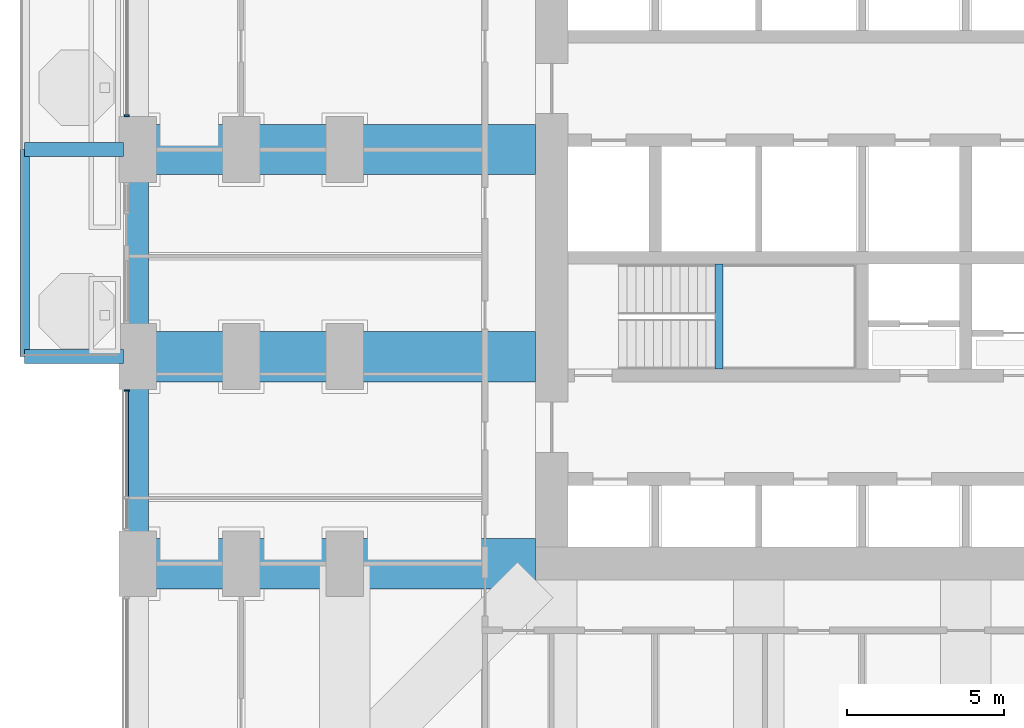
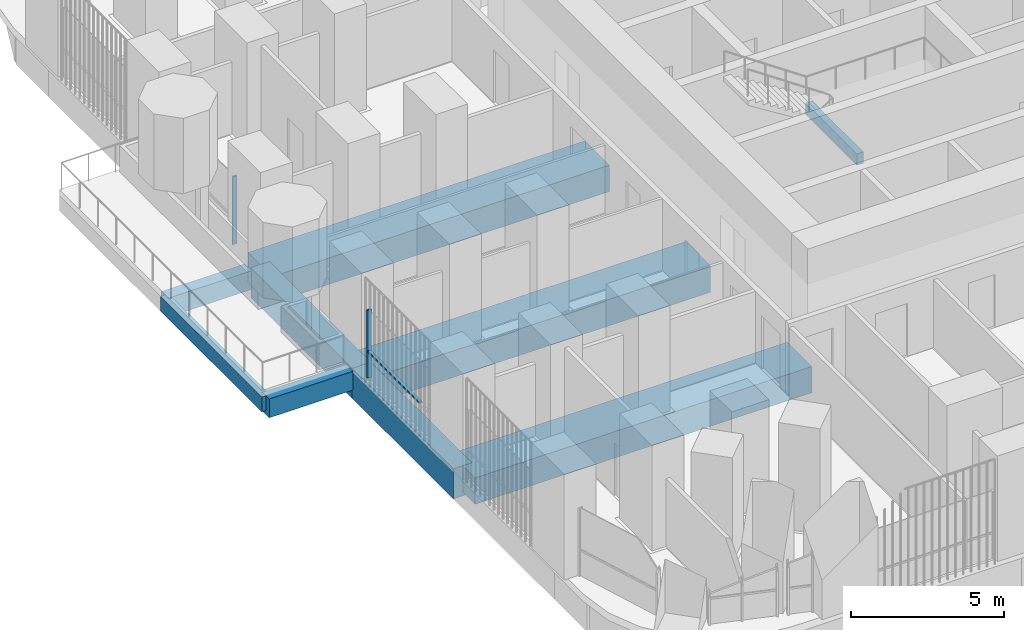
# One storey, part 3 of 26: 9 beams, 3 members, 2 elements without a shape of their own.
"""IFC4 building model written with IfcOpenShell, lengths in metres."""

from ifc_helpers import new_model, si_unit, direction, frame, origin, origin_2d, place, context, subcontext, project, spatial, rectangle, extrude, material, material_profile, profile_set, type_object, element, aggregate, save


model = new_model("IFC4")

# Units and contexts
model_context = context("Model", 3, precision=1e-05, world=origin(), true_north=direction((0.0, 1.0)))
body_context = subcontext(model_context, "Body", "Model", "MODEL_VIEW")
ifc_project = project(units=[si_unit("LENGTHUNIT", "METRE"), si_unit("AREAUNIT", "SQUARE_METRE"), si_unit("VOLUMEUNIT", "CUBIC_METRE"), si_unit("PLANEANGLEUNIT", "RADIAN"), si_unit("MASSUNIT", "GRAM", prefix="KILO")], contexts=[model_context])

# Site, building, storey
site_placement = place(None, origin())
site = spatial("IfcSite", under=ifc_project, at=site_placement, CompositionType="ELEMENT")
building_placement = place(site_placement, origin())
building = spatial("IfcBuilding", under=site, at=building_placement, Name="Cobogo Forest Laboratory Tower", CompositionType="ELEMENT")
storey_placement = place(building_placement, frame((0.0, 0.0, 59.10009765625)))
storey = spatial("IfcBuildingStorey", under=building, at=storey_placement, Name="L13", CompositionType="ELEMENT", Elevation=59.10009765625)

# Beams
ifc_material_1 = material(Name="Concrete HA-40 (C40/50)", Category="concrete")
ifc_material_profile_1 = material_profile(ifc_material_1, rectangle(XDim=0.449951171875, YDim=0.75, at=origin_2d()), Name="RC 450x750")
ifc_profile_set_1 = profile_set([ifc_material_profile_1], Name="Concrete HA-40 (C40/50)")
beam_type_1 = type_object("IfcBeamType", Name="Balcony cantilever beam 450x750", PredefinedType="BEAM", material=ifc_profile_set_1)
for number, where, z_axis, x_axis, name in (
    (1, (-0.449951171875, 19.800048828125, -0.625), (-1.0, 0.0, 0.0), (0.0, -1.0, 0.0), "CB1 BAL-W1-C1 L13"),
    (2, (-0.449951171875, 26.39990234375, -0.625), (-1.0, 0.0, 0.0), (0.0, -1.0, 0.0), "CB1 BAL-W1-C2 L13"),
):
    element("IfcBeam", number, at=place(storey_placement, frame(where, z_axis=z_axis, x_axis=x_axis)), inside=storey, type_object=beam_type_1, Name=name, PredefinedType="BEAM", context=body_context, shape_type="SweptSolid", body=[
        extrude(rectangle(XDim=0.449951171875, YDim=0.75, at=origin_2d()), origin(), (0.0, 0.0, 1.0), 3.150146484375),
    ])
ifc_material_profile_2 = material_profile(ifc_material_1, rectangle(XDim=0.300048828125, YDim=0.60009765625, at=origin_2d()), Name="RC 300x600")
ifc_profile_set_2 = profile_set([ifc_material_profile_2], Name="Concrete HA-40 (C40/50)")
beam_type_2 = type_object("IfcBeamType", Name="Balcony edge beam 300x600", PredefinedType="BEAM", material=ifc_profile_set_2)
beam_1_placement = place(storey_placement, frame((-3.60009765625, 19.800048828125, -0.550048828125), z_axis=(0.0, 1.0, 0.0), x_axis=(-1.0, 0.0, 0.0)))
element("IfcBeam", 3, at=beam_1_placement, inside=storey, type_object=beam_type_2, Name="BB1 BAL-W1-T1 L13", PredefinedType="BEAM", context=body_context, shape_type="SweptSolid", body=[
    extrude(rectangle(XDim=0.300048828125, YDim=0.60009765625, at=origin_2d()), origin(), (0.0, 0.0, 1.0), 6.599853515625),
])
ifc_material_profile_3 = material_profile(ifc_material_1, rectangle(XDim=0.25, YDim=0.449951171875, at=origin_2d()), Name="RC 250x450")
ifc_profile_set_3 = profile_set([ifc_material_profile_3], Name="Concrete HA-40 (C40/50)")
beam_type_3 = type_object("IfcBeamType", Name="LB1 landing beam 250x450", PredefinedType="BEAM", material=ifc_profile_set_3)
beam_2_placement = place(storey_placement, frame((18.530029296875, 19.39990234375, 1.6748046875), z_axis=(0.0, 1.0, 0.0), x_axis=(-1.0, 0.0, 0.0)))
element("IfcBeam", 4, at=beam_2_placement, inside=storey, type_object=beam_type_3, Name="Landing beam ST1 L13", PredefinedType="BEAM", context=body_context, shape_type="SweptSolid", body=[
    extrude(rectangle(XDim=0.25, YDim=0.449951171875, at=origin_2d()), origin(), (0.0, 0.0, 1.0), 3.35009765625),
])
ifc_material_2 = material(Name="Concrete HA-50 (C50/60)", Category="concrete")
ifc_material_profile_4 = material_profile(ifc_material_2, rectangle(XDim=1.60009765625, YDim=1.050048828125, at=origin_2d()), Name="RC 1600x1050")
ifc_profile_set_4 = profile_set([ifc_material_profile_4], Name="Concrete HA-50 (C50/60)")
beam_type_4 = type_object("IfcBeamType", Name="Laboratory floor wide beam 1600x1050", PredefinedType="BEAM", material=ifc_profile_set_4)
for number, where, z_axis, x_axis, name in (
    (5, (12.675048828125, 13.199951171875, -0.8251953125), (-1.0, 0.0, 0.0), (0.0, -1.0, 0.0), "RB8 R-C-W L13"),
    (6, (12.675048828125, 19.800048828125, -0.8251953125), (-1.0, 0.0, 0.0), (0.0, -1.0, 0.0), "RB8 R-D-W L13"),
    (7, (12.675048828125, 26.39990234375, -0.8251953125), (-1.0, 0.0, 0.0), (0.0, -1.0, 0.0), "RB8 R-E-W L13"),
):
    element("IfcBeam", number, at=place(storey_placement, frame(where, z_axis=z_axis, x_axis=x_axis)), inside=storey, type_object=beam_type_4, Name=name, PredefinedType="BEAM", context=body_context, shape_type="SweptSolid", body=[
        extrude(rectangle(XDim=1.60009765625, YDim=1.050048828125, at=origin_2d()), origin(), (0.0, 0.0, 1.0), 12.675048828125),
    ])

# Curtain wall, member
ifc_material_3 = material(Name="Aluminium curtain wall", Category="aluminium")
curtain_wall_type = type_object("IfcCurtainWallType", Name="CW-1 unitised curtain wall, clear glazing, laboratory floors zones A and B", PredefinedType="USERDEFINED", material=ifc_material_3)
curtain_wall_1_placement = place(storey_placement, origin())
curtain_wall_1 = element("IfcCurtainWall", 8, at=curtain_wall_1_placement, inside=storey, type_object=curtain_wall_type, Name="Curtain wall 28 L13", ObjectType="UNITISED CURTAIN WALL", PredefinedType="USERDEFINED")
ifc_material_4 = material(Name="Aluminium mullion", Category="aluminium")
ifc_material_profile_5 = material_profile(ifc_material_4, rectangle(XDim=0.06005859375, YDim=0.159912109375, at=origin_2d()), Name="AL 60x160")
ifc_profile_set_5 = profile_set([ifc_material_profile_5], Name="Aluminium mullion")
member_type_1 = type_object("IfcMemberType", Name="MU-1 aluminium mullion 60x160", PredefinedType="MULLION", material=ifc_profile_set_5)
member_1_placement = place(storey_placement, frame((-0.35009765625, 27.47998046875, 0.0), z_axis=(0.0, 0.0, 1.0), x_axis=(0.0, -1.0, 0.0)))
member_1 = element("IfcMember", 9, at=member_1_placement, type_object=member_type_1, Name="CW-1 mullion 2", PredefinedType="MULLION", context=body_context, shape_type="SweptSolid", body=[
    extrude(rectangle(XDim=0.06005859375, YDim=0.159912109375, at=origin_2d()), origin(), (0.0, 0.0, 1.0), 2.699951171875),
])
aggregate(curtain_wall_1, [member_1])

curtain_wall_2_placement = place(storey_placement, origin())
curtain_wall_2 = element("IfcCurtainWall", 10, at=curtain_wall_2_placement, inside=storey, type_object=curtain_wall_type, Name="Curtain wall 30 L13", ObjectType="UNITISED CURTAIN WALL", PredefinedType="USERDEFINED")
member_2_placement = place(storey_placement, frame((-0.35009765625, 18.719970703125, 0.0), z_axis=(0.0, 0.0, 1.0), x_axis=(0.0, -1.0, 0.0)))
member_2 = element("IfcMember", 11, at=member_2_placement, type_object=member_type_1, Name="CW-1 mullion 1", PredefinedType="MULLION", context=body_context, shape_type="SweptSolid", body=[
    extrude(rectangle(XDim=0.06005859375, YDim=0.159912109375, at=origin_2d()), origin(), (0.0, 0.0, 1.0), 2.699951171875),
])

# Beams
ifc_material_profile_6 = material_profile(ifc_material_1, rectangle(XDim=0.699951171875, YDim=1.199951171875, at=origin_2d()), Name="RC 700x1200")
ifc_profile_set_6 = profile_set([ifc_material_profile_6], Name="Concrete HA-40 (C40/50)")
beam_type_5 = type_object("IfcBeamType", Name="Perimeter edge beam 700x1200", PredefinedType="BEAM", material=ifc_profile_set_6)
beam_3_placement = place(storey_placement, frame((0.0, 13.199951171875, -0.900146484375), z_axis=(0.0, 1.0, 0.0), x_axis=(-1.0, 0.0, 0.0)))
element("IfcBeam", 12, at=beam_3_placement, inside=storey, type_object=beam_type_5, Name="EB1 E-W2 L13", PredefinedType="BEAM", context=body_context, shape_type="SweptSolid", body=[
    extrude(rectangle(XDim=0.699951171875, YDim=1.199951171875, at=origin_2d()), origin(), (0.0, 0.0, 1.0), 6.60009765625),
])
beam_4_placement = place(storey_placement, frame((0.0, 19.800048828125, -0.900146484375), z_axis=(0.0, 1.0, 0.0), x_axis=(-1.0, 0.0, 0.0)))
element("IfcBeam", 13, at=beam_4_placement, inside=storey, type_object=beam_type_5, Name="EB1 E-W3 L13", PredefinedType="BEAM", context=body_context, shape_type="SweptSolid", body=[
    extrude(rectangle(XDim=0.699951171875, YDim=1.199951171875, at=origin_2d()), origin(), (0.0, 0.0, 1.0), 6.599853515625),
])

# Member
ifc_material_5 = material(Name="Aluminium transom", Category="aluminium")
ifc_material_profile_7 = material_profile(ifc_material_5, rectangle(XDim=0.1201171875, YDim=0.06005859375, at=origin_2d()), Name="AL 60x120")
ifc_profile_set_7 = profile_set([ifc_material_profile_7], Name="Aluminium transom")
member_type_2 = type_object("IfcMemberType", Name="TR-1 aluminium transom 60x120", PredefinedType="USERDEFINED", material=ifc_profile_set_7)
member_3_placement = place(storey_placement, frame((-0.35009765625, 18.68994140625, 1.0498046875), z_axis=(0.0, -1.0, 0.0), x_axis=(1.0, 0.0, 0.0)))
member_3 = element("IfcMember", 14, at=member_3_placement, type_object=member_type_2, Name="CW-1 transom 1.1", ObjectType="TRANSOM", PredefinedType="USERDEFINED", context=body_context, shape_type="SweptSolid", body=[
    extrude(rectangle(XDim=0.1201171875, YDim=0.06005859375, at=origin_2d()), origin(), (0.0, 0.0, 1.0), 3.35986328125),
])

aggregate(curtain_wall_2, [member_2, member_3])

save(model, "model.ifc")
